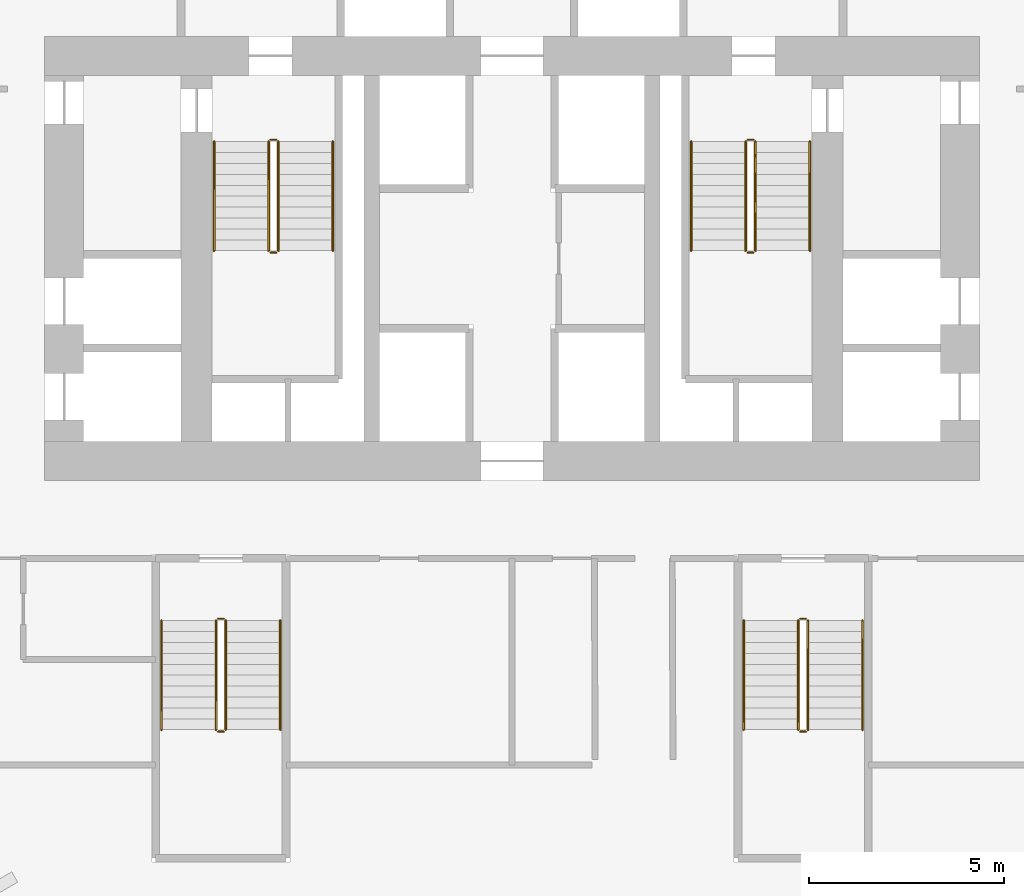
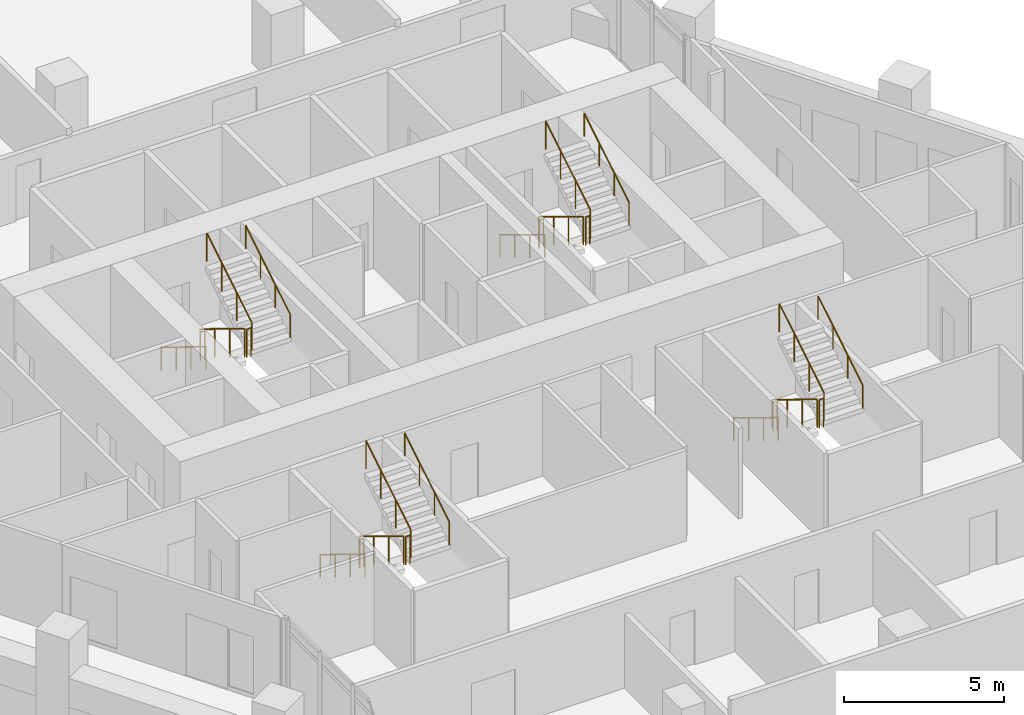
# One storey, part 37 of 37: 24 railings.
"""IFC4 building model written with IfcOpenShell, lengths in metres."""

from ifc_helpers import new_model, si_unit, direction, frame, origin, origin_2d, place, context, subcontext, project, spatial, circle, extrude, material, type_object, element, save


model = new_model("IFC4")

# Units and contexts
model_context = context("Model", 3, precision=1e-05, world=origin(), true_north=direction((0.0, 1.0)))
body_context = subcontext(model_context, "Body", "Model", "MODEL_VIEW")
ifc_project = project(units=[si_unit("LENGTHUNIT", "METRE"), si_unit("AREAUNIT", "SQUARE_METRE"), si_unit("VOLUMEUNIT", "CUBIC_METRE"), si_unit("PLANEANGLEUNIT", "RADIAN"), si_unit("MASSUNIT", "GRAM", prefix="KILO")], contexts=[model_context])

# Site, building, storey
site_placement = place(None, origin())
site = spatial("IfcSite", under=ifc_project, at=site_placement, CompositionType="ELEMENT")
building_placement = place(site_placement, origin())
building = spatial("IfcBuilding", under=site, at=building_placement, Name="Ostrander Bayou Hotel Tower", CompositionType="ELEMENT")
storey_placement = place(building_placement, frame((0.0, 0.0, 93.0)))
storey = spatial("IfcBuildingStorey", under=building, at=storey_placement, Name="L23", CompositionType="ELEMENT", Elevation=93.0)

# Railings
ifc_material_1 = material(Name="Steel ASTM A500 Gr C", Category="steel")
railing_type_1 = type_object("IfcRailingType", Name="GR1 stair guard 1100 mm steel", PredefinedType="GUARDRAIL", material=ifc_material_1)
railing_1_placement = place(storey_placement, frame((-6.25, 7.0, 0.17041015625)))
element("IfcRailing", 1, at=railing_1_placement, inside=storey, type_object=railing_type_1, Name="L23 STA stair guard 1", PredefinedType="GUARDRAIL", context=body_context, shape_type="SweptSolid", body=[
    extrude(circle(Radius=0.02392578125, at=origin_2d()), frame((0.0, 0.0, 1.076171875), z_axis=(0.0, -0.854169791009, 0.51999420009), x_axis=(1.0, 0.0, 0.0)), (0.0, 0.0, 1.0), 3.278076171875),
    extrude(circle(Radius=0.02099609375, at=origin_2d()), origin(), (0.0, 0.0, 1.0), 1.052001953125),
    extrude(circle(Radius=0.02099609375, at=origin_2d()), frame((0.0, -0.933349609375, 0.568115234375)), (0.0, 0.0, 1.0), 1.052001953125),
    extrude(circle(Radius=0.02099609375, at=origin_2d()), frame((0.0, -1.86669921875, 1.136474609375)), (0.0, 0.0, 1.0), 1.052001953125),
    extrude(circle(Radius=0.02099609375, at=origin_2d()), frame((0.0, -2.800048828125, 1.70458984375)), (0.0, 0.0, 1.0), 1.052001953125),
])
railing_2_placement = place(storey_placement, frame((-6.199951171875, 4.14990234375, 1.875)))
element("IfcRailing", 2, at=railing_2_placement, inside=storey, type_object=railing_type_1, Name="L23 STA stair guard 2", PredefinedType="GUARDRAIL", context=body_context, shape_type="SweptSolid", body=[
    extrude(circle(Radius=0.02392578125, at=origin_2d()), frame((0.0, 0.0, 1.076171875), z_axis=(1.0, 0.0, 0.0), x_axis=(0.0, 1.0, 0.0)), (0.0, 0.0, 1.0), 0.14990234375),
    extrude(circle(Radius=0.02099609375, at=origin_2d()), origin(), (0.0, 0.0, 1.0), 1.052001953125),
    extrude(circle(Radius=0.02099609375, at=origin_2d()), frame((0.14990234375, 0.0, 0.0)), (0.0, 0.0, 1.0), 1.052001953125),
])
railing_3_placement = place(storey_placement, frame((-6.0, 4.199951171875, 2.04541015625)))
element("IfcRailing", 3, at=railing_3_placement, inside=storey, type_object=railing_type_1, Name="L23 STA stair guard 3", PredefinedType="GUARDRAIL", context=body_context, shape_type="SweptSolid", body=[
    extrude(circle(Radius=0.02392578125, at=origin_2d()), frame((0.0, 0.0, 1.076171875), z_axis=(0.0, 0.854169791009, 0.51999420009), x_axis=(-1.0, 0.0, 0.0)), (0.0, 0.0, 1.0), 3.278076171875),
    extrude(circle(Radius=0.02099609375, at=origin_2d()), origin(), (0.0, 0.0, 1.0), 1.052001953125),
    extrude(circle(Radius=0.02099609375, at=origin_2d()), frame((0.0, 0.933349609375, 0.568115234375)), (0.0, 0.0, 1.0), 1.052001953125),
    extrude(circle(Radius=0.02099609375, at=origin_2d()), frame((0.0, 1.86669921875, 1.136474609375)), (0.0, 0.0, 1.0), 1.052001953125),
    extrude(circle(Radius=0.02099609375, at=origin_2d()), frame((0.0, 2.800048828125, 1.70458984375)), (0.0, 0.0, 1.0), 1.052001953125),
])
railing_4_placement = place(storey_placement, frame((-6.199951171875, 7.050048828125, 0.0)))
element("IfcRailing", 4, at=railing_4_placement, inside=storey, type_object=railing_type_1, Name="L23 STA stair guard 4", PredefinedType="GUARDRAIL", context=body_context, shape_type="SweptSolid", body=[
    extrude(circle(Radius=0.02392578125, at=origin_2d()), frame((0.0, 0.0, 1.076171875), z_axis=(1.0, 0.0, 0.0), x_axis=(0.0, 1.0, 0.0)), (0.0, 0.0, 1.0), 0.14990234375),
    extrude(circle(Radius=0.02099609375, at=origin_2d()), origin(), (0.0, 0.0, 1.0), 1.052001953125),
    extrude(circle(Radius=0.02099609375, at=origin_2d()), frame((0.14990234375, 0.0, 0.0)), (0.0, 0.0, 1.0), 1.052001953125),
])
railing_5_placement = place(storey_placement, frame((6.0, 7.0, 0.17041015625)))
element("IfcRailing", 5, at=railing_5_placement, inside=storey, type_object=railing_type_1, Name="L23 STB stair guard 1", PredefinedType="GUARDRAIL", context=body_context, shape_type="SweptSolid", body=[
    extrude(circle(Radius=0.02392578125, at=origin_2d()), frame((0.0, 0.0, 1.076171875), z_axis=(0.0, -0.854169791009, 0.51999420009), x_axis=(1.0, 0.0, 0.0)), (0.0, 0.0, 1.0), 3.278076171875),
    extrude(circle(Radius=0.02099609375, at=origin_2d()), origin(), (0.0, 0.0, 1.0), 1.052001953125),
    extrude(circle(Radius=0.02099609375, at=origin_2d()), frame((0.0, -0.933349609375, 0.568115234375)), (0.0, 0.0, 1.0), 1.052001953125),
    extrude(circle(Radius=0.02099609375, at=origin_2d()), frame((0.0, -1.86669921875, 1.136474609375)), (0.0, 0.0, 1.0), 1.052001953125),
    extrude(circle(Radius=0.02099609375, at=origin_2d()), frame((0.0, -2.800048828125, 1.70458984375)), (0.0, 0.0, 1.0), 1.052001953125),
])
railing_6_placement = place(storey_placement, frame((6.050048828125, 4.14990234375, 1.875)))
element("IfcRailing", 6, at=railing_6_placement, inside=storey, type_object=railing_type_1, Name="L23 STB stair guard 2", PredefinedType="GUARDRAIL", context=body_context, shape_type="SweptSolid", body=[
    extrude(circle(Radius=0.02392578125, at=origin_2d()), frame((0.0, 0.0, 1.076171875), z_axis=(1.0, 0.0, 0.0), x_axis=(0.0, 1.0, 0.0)), (0.0, 0.0, 1.0), 0.14990234375),
    extrude(circle(Radius=0.02099609375, at=origin_2d()), origin(), (0.0, 0.0, 1.0), 1.052001953125),
    extrude(circle(Radius=0.02099609375, at=origin_2d()), frame((0.14990234375, 0.0, 0.0)), (0.0, 0.0, 1.0), 1.052001953125),
])
railing_7_placement = place(storey_placement, frame((6.25, 4.199951171875, 2.04541015625)))
element("IfcRailing", 7, at=railing_7_placement, inside=storey, type_object=railing_type_1, Name="L23 STB stair guard 3", PredefinedType="GUARDRAIL", context=body_context, shape_type="SweptSolid", body=[
    extrude(circle(Radius=0.02392578125, at=origin_2d()), frame((0.0, 0.0, 1.076171875), z_axis=(0.0, 0.854169791009, 0.51999420009), x_axis=(-1.0, 0.0, 0.0)), (0.0, 0.0, 1.0), 3.278076171875),
    extrude(circle(Radius=0.02099609375, at=origin_2d()), origin(), (0.0, 0.0, 1.0), 1.052001953125),
    extrude(circle(Radius=0.02099609375, at=origin_2d()), frame((0.0, 0.933349609375, 0.568115234375)), (0.0, 0.0, 1.0), 1.052001953125),
    extrude(circle(Radius=0.02099609375, at=origin_2d()), frame((0.0, 1.86669921875, 1.136474609375)), (0.0, 0.0, 1.0), 1.052001953125),
    extrude(circle(Radius=0.02099609375, at=origin_2d()), frame((0.0, 2.800048828125, 1.70458984375)), (0.0, 0.0, 1.0), 1.052001953125),
])
railing_8_placement = place(storey_placement, frame((6.050048828125, 7.050048828125, 0.0)))
element("IfcRailing", 8, at=railing_8_placement, inside=storey, type_object=railing_type_1, Name="L23 STB stair guard 4", PredefinedType="GUARDRAIL", context=body_context, shape_type="SweptSolid", body=[
    extrude(circle(Radius=0.02392578125, at=origin_2d()), frame((0.0, 0.0, 1.076171875), z_axis=(1.0, 0.0, 0.0), x_axis=(0.0, 1.0, 0.0)), (0.0, 0.0, 1.0), 0.14990234375),
    extrude(circle(Radius=0.02099609375, at=origin_2d()), origin(), (0.0, 0.0, 1.0), 1.052001953125),
    extrude(circle(Radius=0.02099609375, at=origin_2d()), frame((0.14990234375, 0.0, 0.0)), (0.0, 0.0, 1.0), 1.052001953125),
])
railing_9_placement = place(storey_placement, frame((7.35009765625, -5.300048828125, 0.17041015625)))
element("IfcRailing", 9, at=railing_9_placement, inside=storey, type_object=railing_type_1, Name="L23 STC stair guard 1", PredefinedType="GUARDRAIL", context=body_context, shape_type="SweptSolid", body=[
    extrude(circle(Radius=0.02392578125, at=origin_2d()), frame((0.0, 0.0, 1.076171875), z_axis=(0.0, -0.854169791009, 0.51999420009), x_axis=(1.0, 0.0, 0.0)), (0.0, 0.0, 1.0), 3.278076171875),
    extrude(circle(Radius=0.02099609375, at=origin_2d()), origin(), (0.0, 0.0, 1.0), 1.052001953125),
    extrude(circle(Radius=0.02099609375, at=origin_2d()), frame((0.0, -0.933349609375, 0.568115234375)), (0.0, 0.0, 1.0), 1.052001953125),
    extrude(circle(Radius=0.02099609375, at=origin_2d()), frame((0.0, -1.86669921875, 1.136474609375)), (0.0, 0.0, 1.0), 1.052001953125),
    extrude(circle(Radius=0.02099609375, at=origin_2d()), frame((0.0, -2.800048828125, 1.70458984375)), (0.0, 0.0, 1.0), 1.052001953125),
])
railing_10_placement = place(storey_placement, frame((7.39990234375, -8.14990234375, 1.875)))
element("IfcRailing", 10, at=railing_10_placement, inside=storey, type_object=railing_type_1, Name="L23 STC stair guard 2", PredefinedType="GUARDRAIL", context=body_context, shape_type="SweptSolid", body=[
    extrude(circle(Radius=0.02392578125, at=origin_2d()), frame((0.0, 0.0, 1.076171875), z_axis=(1.0, 0.0, 0.0), x_axis=(0.0, 1.0, 0.0)), (0.0, 0.0, 1.0), 0.150146484375),
    extrude(circle(Radius=0.02099609375, at=origin_2d()), origin(), (0.0, 0.0, 1.0), 1.052001953125),
    extrude(circle(Radius=0.02099609375, at=origin_2d()), frame((0.150146484375, 0.0, 0.0)), (0.0, 0.0, 1.0), 1.052001953125),
])
railing_11_placement = place(storey_placement, frame((7.60009765625, -8.10009765625, 2.04541015625)))
element("IfcRailing", 11, at=railing_11_placement, inside=storey, type_object=railing_type_1, Name="L23 STC stair guard 3", PredefinedType="GUARDRAIL", context=body_context, shape_type="SweptSolid", body=[
    extrude(circle(Radius=0.02392578125, at=origin_2d()), frame((0.0, 0.0, 1.076171875), z_axis=(0.0, 0.854169791009, 0.51999420009), x_axis=(-1.0, 0.0, 0.0)), (0.0, 0.0, 1.0), 3.278076171875),
    extrude(circle(Radius=0.02099609375, at=origin_2d()), origin(), (0.0, 0.0, 1.0), 1.052001953125),
    extrude(circle(Radius=0.02099609375, at=origin_2d()), frame((0.0, 0.933349609375, 0.568115234375)), (0.0, 0.0, 1.0), 1.052001953125),
    extrude(circle(Radius=0.02099609375, at=origin_2d()), frame((0.0, 1.86669921875, 1.136474609375)), (0.0, 0.0, 1.0), 1.052001953125),
    extrude(circle(Radius=0.02099609375, at=origin_2d()), frame((0.0, 2.800048828125, 1.70458984375)), (0.0, 0.0, 1.0), 1.052001953125),
])
railing_12_placement = place(storey_placement, frame((7.39990234375, -5.25, 0.0)))
element("IfcRailing", 12, at=railing_12_placement, inside=storey, type_object=railing_type_1, Name="L23 STC stair guard 4", PredefinedType="GUARDRAIL", context=body_context, shape_type="SweptSolid", body=[
    extrude(circle(Radius=0.02392578125, at=origin_2d()), frame((0.0, 0.0, 1.076171875), z_axis=(1.0, 0.0, 0.0), x_axis=(0.0, 1.0, 0.0)), (0.0, 0.0, 1.0), 0.150146484375),
    extrude(circle(Radius=0.02099609375, at=origin_2d()), origin(), (0.0, 0.0, 1.0), 1.052001953125),
    extrude(circle(Radius=0.02099609375, at=origin_2d()), frame((0.150146484375, 0.0, 0.0)), (0.0, 0.0, 1.0), 1.052001953125),
])
railing_13_placement = place(storey_placement, frame((-7.60009765625, -5.300048828125, 0.17041015625)))
element("IfcRailing", 13, at=railing_13_placement, inside=storey, type_object=railing_type_1, Name="L23 STD stair guard 1", PredefinedType="GUARDRAIL", context=body_context, shape_type="SweptSolid", body=[
    extrude(circle(Radius=0.02392578125, at=origin_2d()), frame((0.0, 0.0, 1.076171875), z_axis=(0.0, -0.854169791009, 0.51999420009), x_axis=(1.0, 0.0, 0.0)), (0.0, 0.0, 1.0), 3.278076171875),
    extrude(circle(Radius=0.02099609375, at=origin_2d()), origin(), (0.0, 0.0, 1.0), 1.052001953125),
    extrude(circle(Radius=0.02099609375, at=origin_2d()), frame((0.0, -0.933349609375, 0.568115234375)), (0.0, 0.0, 1.0), 1.052001953125),
    extrude(circle(Radius=0.02099609375, at=origin_2d()), frame((0.0, -1.86669921875, 1.136474609375)), (0.0, 0.0, 1.0), 1.052001953125),
    extrude(circle(Radius=0.02099609375, at=origin_2d()), frame((0.0, -2.800048828125, 1.70458984375)), (0.0, 0.0, 1.0), 1.052001953125),
])
railing_14_placement = place(storey_placement, frame((-7.550048828125, -8.14990234375, 1.875)))
element("IfcRailing", 14, at=railing_14_placement, inside=storey, type_object=railing_type_1, Name="L23 STD stair guard 2", PredefinedType="GUARDRAIL", context=body_context, shape_type="SweptSolid", body=[
    extrude(circle(Radius=0.02392578125, at=origin_2d()), frame((0.0, 0.0, 1.076171875), z_axis=(1.0, 0.0, 0.0), x_axis=(0.0, 1.0, 0.0)), (0.0, 0.0, 1.0), 0.150146484375),
    extrude(circle(Radius=0.02099609375, at=origin_2d()), origin(), (0.0, 0.0, 1.0), 1.052001953125),
    extrude(circle(Radius=0.02099609375, at=origin_2d()), frame((0.150146484375, 0.0, 0.0)), (0.0, 0.0, 1.0), 1.052001953125),
])
railing_15_placement = place(storey_placement, frame((-7.35009765625, -8.10009765625, 2.04541015625)))
element("IfcRailing", 15, at=railing_15_placement, inside=storey, type_object=railing_type_1, Name="L23 STD stair guard 3", PredefinedType="GUARDRAIL", context=body_context, shape_type="SweptSolid", body=[
    extrude(circle(Radius=0.02392578125, at=origin_2d()), frame((0.0, 0.0, 1.076171875), z_axis=(0.0, 0.854169791009, 0.51999420009), x_axis=(-1.0, 0.0, 0.0)), (0.0, 0.0, 1.0), 3.278076171875),
    extrude(circle(Radius=0.02099609375, at=origin_2d()), origin(), (0.0, 0.0, 1.0), 1.052001953125),
    extrude(circle(Radius=0.02099609375, at=origin_2d()), frame((0.0, 0.933349609375, 0.568115234375)), (0.0, 0.0, 1.0), 1.052001953125),
    extrude(circle(Radius=0.02099609375, at=origin_2d()), frame((0.0, 1.86669921875, 1.136474609375)), (0.0, 0.0, 1.0), 1.052001953125),
    extrude(circle(Radius=0.02099609375, at=origin_2d()), frame((0.0, 2.800048828125, 1.70458984375)), (0.0, 0.0, 1.0), 1.052001953125),
])
railing_16_placement = place(storey_placement, frame((-7.550048828125, -5.25, 0.0)))
element("IfcRailing", 16, at=railing_16_placement, inside=storey, type_object=railing_type_1, Name="L23 STD stair guard 4", PredefinedType="GUARDRAIL", context=body_context, shape_type="SweptSolid", body=[
    extrude(circle(Radius=0.02392578125, at=origin_2d()), frame((0.0, 0.0, 1.076171875), z_axis=(1.0, 0.0, 0.0), x_axis=(0.0, 1.0, 0.0)), (0.0, 0.0, 1.0), 0.150146484375),
    extrude(circle(Radius=0.02099609375, at=origin_2d()), origin(), (0.0, 0.0, 1.0), 1.052001953125),
    extrude(circle(Radius=0.02099609375, at=origin_2d()), frame((0.150146484375, 0.0, 0.0)), (0.0, 0.0, 1.0), 1.052001953125),
])
ifc_material_2 = material(Name="Steel ASTM A500 Gr C", Category="steel")
railing_type_2 = type_object("IfcRailingType", Name="HR1 stair handrail 900 mm steel", PredefinedType="HANDRAIL", material=ifc_material_2)
railing_17_placement = place(storey_placement, frame((-7.64990234375, 7.0, 0.17041015625)))
element("IfcRailing", 17, at=railing_17_placement, inside=storey, type_object=railing_type_2, Name="L23 STA stair handrail 1", PredefinedType="HANDRAIL", context=body_context, shape_type="SweptSolid", body=[
    extrude(circle(Radius=0.02392578125, at=origin_2d()), frame((0.0, 0.0, 0.8759765625), z_axis=(0.0, -0.854169791009, 0.51999420009), x_axis=(1.0, 0.0, 0.0)), (0.0, 0.0, 1.0), 3.278076171875),
    extrude(circle(Radius=0.02099609375, at=origin_2d()), origin(), (0.0, 0.0, 1.0), 0.851806640625),
    extrude(circle(Radius=0.02099609375, at=origin_2d()), frame((0.0, -0.933349609375, 0.568115234375)), (0.0, 0.0, 1.0), 0.851806640625),
    extrude(circle(Radius=0.02099609375, at=origin_2d()), frame((0.0, -1.86669921875, 1.136474609375)), (0.0, 0.0, 1.0), 0.851806640625),
    extrude(circle(Radius=0.02099609375, at=origin_2d()), frame((0.0, -2.800048828125, 1.70458984375)), (0.0, 0.0, 1.0), 0.851806640625),
])
railing_18_placement = place(storey_placement, frame((-4.60009765625, 4.199951171875, 2.04541015625)))
element("IfcRailing", 18, at=railing_18_placement, inside=storey, type_object=railing_type_2, Name="L23 STA stair handrail 2", PredefinedType="HANDRAIL", context=body_context, shape_type="SweptSolid", body=[
    extrude(circle(Radius=0.02392578125, at=origin_2d()), frame((0.0, 0.0, 0.8759765625), z_axis=(0.0, 0.854169791009, 0.51999420009), x_axis=(-1.0, 0.0, 0.0)), (0.0, 0.0, 1.0), 3.278076171875),
    extrude(circle(Radius=0.02099609375, at=origin_2d()), origin(), (0.0, 0.0, 1.0), 0.851806640625),
    extrude(circle(Radius=0.02099609375, at=origin_2d()), frame((0.0, 0.933349609375, 0.568115234375)), (0.0, 0.0, 1.0), 0.851806640625),
    extrude(circle(Radius=0.02099609375, at=origin_2d()), frame((0.0, 1.86669921875, 1.136474609375)), (0.0, 0.0, 1.0), 0.851806640625),
    extrude(circle(Radius=0.02099609375, at=origin_2d()), frame((0.0, 2.800048828125, 1.70458984375)), (0.0, 0.0, 1.0), 0.851806640625),
])
railing_19_placement = place(storey_placement, frame((4.60009765625, 7.0, 0.17041015625)))
element("IfcRailing", 19, at=railing_19_placement, inside=storey, type_object=railing_type_2, Name="L23 STB stair handrail 1", PredefinedType="HANDRAIL", context=body_context, shape_type="SweptSolid", body=[
    extrude(circle(Radius=0.02392578125, at=origin_2d()), frame((0.0, 0.0, 0.8759765625), z_axis=(0.0, -0.854169791009, 0.51999420009), x_axis=(1.0, 0.0, 0.0)), (0.0, 0.0, 1.0), 3.278076171875),
    extrude(circle(Radius=0.02099609375, at=origin_2d()), origin(), (0.0, 0.0, 1.0), 0.851806640625),
    extrude(circle(Radius=0.02099609375, at=origin_2d()), frame((0.0, -0.933349609375, 0.568115234375)), (0.0, 0.0, 1.0), 0.851806640625),
    extrude(circle(Radius=0.02099609375, at=origin_2d()), frame((0.0, -1.86669921875, 1.136474609375)), (0.0, 0.0, 1.0), 0.851806640625),
    extrude(circle(Radius=0.02099609375, at=origin_2d()), frame((0.0, -2.800048828125, 1.70458984375)), (0.0, 0.0, 1.0), 0.851806640625),
])
railing_20_placement = place(storey_placement, frame((7.64990234375, 4.199951171875, 2.04541015625)))
element("IfcRailing", 20, at=railing_20_placement, inside=storey, type_object=railing_type_2, Name="L23 STB stair handrail 2", PredefinedType="HANDRAIL", context=body_context, shape_type="SweptSolid", body=[
    extrude(circle(Radius=0.02392578125, at=origin_2d()), frame((0.0, 0.0, 0.8759765625), z_axis=(0.0, 0.854169791009, 0.51999420009), x_axis=(-1.0, 0.0, 0.0)), (0.0, 0.0, 1.0), 3.278076171875),
    extrude(circle(Radius=0.02099609375, at=origin_2d()), origin(), (0.0, 0.0, 1.0), 0.851806640625),
    extrude(circle(Radius=0.02099609375, at=origin_2d()), frame((0.0, 0.933349609375, 0.568115234375)), (0.0, 0.0, 1.0), 0.851806640625),
    extrude(circle(Radius=0.02099609375, at=origin_2d()), frame((0.0, 1.86669921875, 1.136474609375)), (0.0, 0.0, 1.0), 0.851806640625),
    extrude(circle(Radius=0.02099609375, at=origin_2d()), frame((0.0, 2.800048828125, 1.70458984375)), (0.0, 0.0, 1.0), 0.851806640625),
])
railing_21_placement = place(storey_placement, frame((5.949951171875, -5.300048828125, 0.17041015625)))
element("IfcRailing", 21, at=railing_21_placement, inside=storey, type_object=railing_type_2, Name="L23 STC stair handrail 1", PredefinedType="HANDRAIL", context=body_context, shape_type="SweptSolid", body=[
    extrude(circle(Radius=0.02392578125, at=origin_2d()), frame((0.0, 0.0, 0.8759765625), z_axis=(0.0, -0.854169791009, 0.51999420009), x_axis=(1.0, 0.0, 0.0)), (0.0, 0.0, 1.0), 3.278076171875),
    extrude(circle(Radius=0.02099609375, at=origin_2d()), origin(), (0.0, 0.0, 1.0), 0.851806640625),
    extrude(circle(Radius=0.02099609375, at=origin_2d()), frame((0.0, -0.933349609375, 0.568115234375)), (0.0, 0.0, 1.0), 0.851806640625),
    extrude(circle(Radius=0.02099609375, at=origin_2d()), frame((0.0, -1.86669921875, 1.136474609375)), (0.0, 0.0, 1.0), 0.851806640625),
    extrude(circle(Radius=0.02099609375, at=origin_2d()), frame((0.0, -2.800048828125, 1.70458984375)), (0.0, 0.0, 1.0), 0.851806640625),
])
railing_22_placement = place(storey_placement, frame((9.0, -8.10009765625, 2.04541015625)))
element("IfcRailing", 22, at=railing_22_placement, inside=storey, type_object=railing_type_2, Name="L23 STC stair handrail 2", PredefinedType="HANDRAIL", context=body_context, shape_type="SweptSolid", body=[
    extrude(circle(Radius=0.02392578125, at=origin_2d()), frame((0.0, 0.0, 0.8759765625), z_axis=(0.0, 0.854169791009, 0.51999420009), x_axis=(-1.0, 0.0, 0.0)), (0.0, 0.0, 1.0), 3.278076171875),
    extrude(circle(Radius=0.02099609375, at=origin_2d()), origin(), (0.0, 0.0, 1.0), 0.851806640625),
    extrude(circle(Radius=0.02099609375, at=origin_2d()), frame((0.0, 0.933349609375, 0.568115234375)), (0.0, 0.0, 1.0), 0.851806640625),
    extrude(circle(Radius=0.02099609375, at=origin_2d()), frame((0.0, 1.86669921875, 1.136474609375)), (0.0, 0.0, 1.0), 0.851806640625),
    extrude(circle(Radius=0.02099609375, at=origin_2d()), frame((0.0, 2.800048828125, 1.70458984375)), (0.0, 0.0, 1.0), 0.851806640625),
])
railing_23_placement = place(storey_placement, frame((-9.0, -5.300048828125, 0.17041015625)))
element("IfcRailing", 23, at=railing_23_placement, inside=storey, type_object=railing_type_2, Name="L23 STD stair handrail 1", PredefinedType="HANDRAIL", context=body_context, shape_type="SweptSolid", body=[
    extrude(circle(Radius=0.02392578125, at=origin_2d()), frame((0.0, 0.0, 0.8759765625), z_axis=(0.0, -0.854169791009, 0.51999420009), x_axis=(1.0, 0.0, 0.0)), (0.0, 0.0, 1.0), 3.278076171875),
    extrude(circle(Radius=0.02099609375, at=origin_2d()), origin(), (0.0, 0.0, 1.0), 0.851806640625),
    extrude(circle(Radius=0.02099609375, at=origin_2d()), frame((0.0, -0.933349609375, 0.568115234375)), (0.0, 0.0, 1.0), 0.851806640625),
    extrude(circle(Radius=0.02099609375, at=origin_2d()), frame((0.0, -1.86669921875, 1.136474609375)), (0.0, 0.0, 1.0), 0.851806640625),
    extrude(circle(Radius=0.02099609375, at=origin_2d()), frame((0.0, -2.800048828125, 1.70458984375)), (0.0, 0.0, 1.0), 0.851806640625),
])
railing_24_placement = place(storey_placement, frame((-5.949951171875, -8.10009765625, 2.04541015625)))
element("IfcRailing", 24, at=railing_24_placement, inside=storey, type_object=railing_type_2, Name="L23 STD stair handrail 2", PredefinedType="HANDRAIL", context=body_context, shape_type="SweptSolid", body=[
    extrude(circle(Radius=0.02392578125, at=origin_2d()), frame((0.0, 0.0, 0.8759765625), z_axis=(0.0, 0.854169791009, 0.51999420009), x_axis=(-1.0, 0.0, 0.0)), (0.0, 0.0, 1.0), 3.278076171875),
    extrude(circle(Radius=0.02099609375, at=origin_2d()), origin(), (0.0, 0.0, 1.0), 0.851806640625),
    extrude(circle(Radius=0.02099609375, at=origin_2d()), frame((0.0, 0.933349609375, 0.568115234375)), (0.0, 0.0, 1.0), 0.851806640625),
    extrude(circle(Radius=0.02099609375, at=origin_2d()), frame((0.0, 1.86669921875, 1.136474609375)), (0.0, 0.0, 1.0), 0.851806640625),
    extrude(circle(Radius=0.02099609375, at=origin_2d()), frame((0.0, 2.800048828125, 1.70458984375)), (0.0, 0.0, 1.0), 0.851806640625),
])

save(model, "model.ifc")
